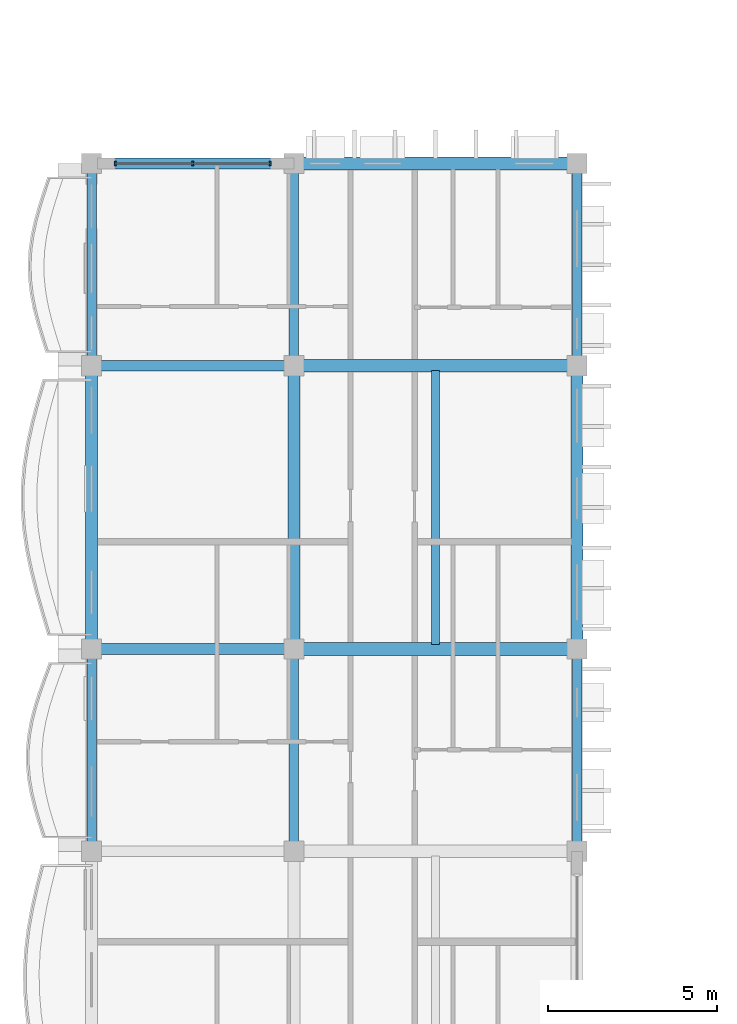
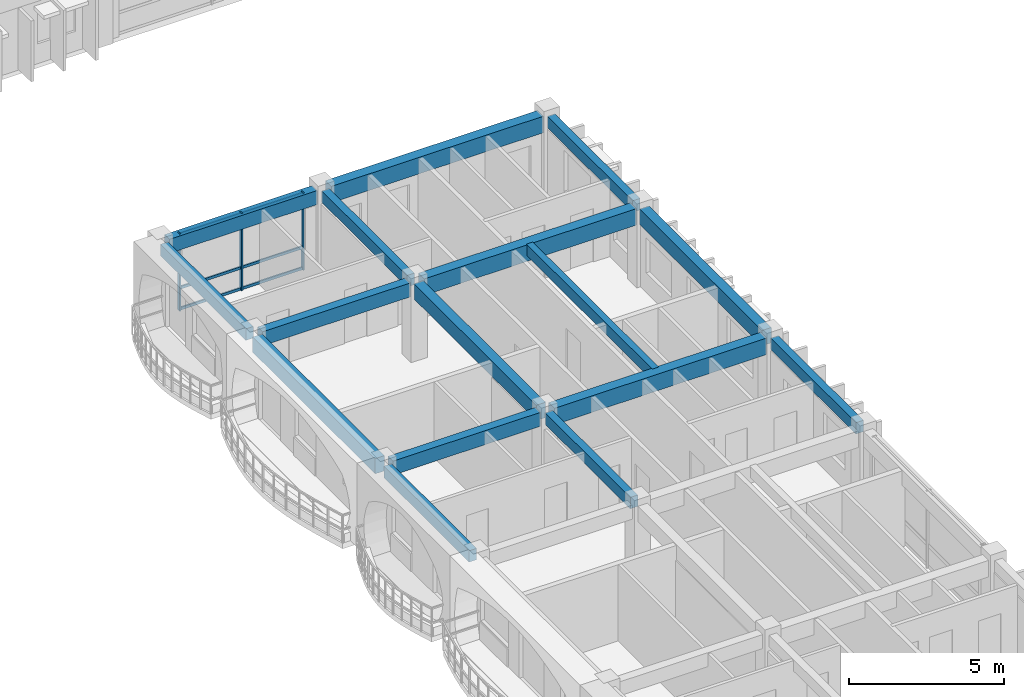
# One storey, part 7 of 79: 16 beams, 6 members, 1 element without a shape of its own.
"""IFC4 building model written with IfcOpenShell, lengths in metres."""

from ifc_helpers import new_model, si_unit, direction, frame, origin, origin_2d, place, context, subcontext, project, spatial, rectangle, extrude, material, material_profile, profile_set, type_object, element, aggregate, save


model = new_model("IFC4")

# Units and contexts
model_context = context("Model", 3, precision=1e-05, world=origin(), true_north=direction((0.0, 1.0)))
body_context = subcontext(model_context, "Body", "Model", "MODEL_VIEW")
ifc_project = project(units=[si_unit("LENGTHUNIT", "METRE"), si_unit("AREAUNIT", "SQUARE_METRE"), si_unit("VOLUMEUNIT", "CUBIC_METRE"), si_unit("PLANEANGLEUNIT", "RADIAN"), si_unit("MASSUNIT", "GRAM", prefix="KILO"), si_unit("THERMODYNAMICTEMPERATUREUNIT", "KELVIN")], contexts=[model_context])

# Site, building, storey
site_placement = place(None, origin())
site = spatial("IfcSite", under=ifc_project, at=site_placement, CompositionType="ELEMENT")
building_placement = place(site_placement, origin())
building = spatial("IfcBuilding", under=site, at=building_placement, Name="Thalorik Housing Commons", CompositionType="ELEMENT")
storey_placement = place(building_placement, frame((0.0, 0.0, 11.39990234375)))
storey = spatial("IfcBuildingStorey", under=building, at=storey_placement, Name="L03", CompositionType="ELEMENT", Elevation=11.39990234375)

# Curtain wall, members
ifc_material_1 = material(Name="Anodised aluminium and solar-control low-E glass", Category="aluminium")
curtain_wall_type = type_object("IfcCurtainWallType", Name="ARC-CW-LOUNGE", PredefinedType="USERDEFINED", material=ifc_material_1)
curtain_wall_placement = place(storey_placement, origin())
curtain_wall = element("IfcCurtainWall", 1, at=curtain_wall_placement, inside=storey, type_object=curtain_wall_type, Name="L03 Curtain Wall CW-RES-L03-C-138", ObjectType="CURTAIN WALL", PredefinedType="USERDEFINED")
ifc_material_2 = material(Name="Anodised aluminium 6063-T6", Category="aluminium")
ifc_material_profile_1 = material_profile(ifc_material_2, rectangle(XDim=0.054931640625, YDim=0.139892578125, at=origin_2d()), Name="ALU MUL 55x140", Category="aluminium")
ifc_profile_set_1 = profile_set([ifc_material_profile_1], Name="Anodised aluminium 6063-T6")
member_type_1 = type_object("IfcMemberType", Name="ARC-CW-MUL-55x140", PredefinedType="MULLION", material=ifc_profile_set_1)
member_1_placement = place(storey_placement, frame((13.699951171875, 57.60009765625, 0.0), z_axis=(0.0, 0.0, 1.0), x_axis=(-1.0, 0.0, 0.0)))
member_1 = element("IfcMember", 2, at=member_1_placement, type_object=member_type_1, Name="CW-RES-L03-C-138 Mullion 1", PredefinedType="MULLION", context=body_context, shape_type="SweptSolid", body=[
    extrude(rectangle(XDim=0.054931640625, YDim=0.139892578125, at=origin_2d()), origin(), (0.0, 0.0, 1.0), 3.0400390625),
])
member_2_placement = place(storey_placement, frame((11.39990234375, 57.60009765625, 0.0), z_axis=(0.0, 0.0, 1.0), x_axis=(-1.0, 0.0, 0.0)))
member_2 = element("IfcMember", 3, at=member_2_placement, type_object=member_type_1, Name="CW-RES-L03-C-138 Mullion 2", PredefinedType="MULLION", context=body_context, shape_type="SweptSolid", body=[
    extrude(rectangle(XDim=0.054931640625, YDim=0.139892578125, at=origin_2d()), origin(), (0.0, 0.0, 1.0), 3.0400390625),
])
member_3_placement = place(storey_placement, frame((9.10009765625, 57.60009765625, 0.0), z_axis=(0.0, 0.0, 1.0), x_axis=(-1.0, 0.0, 0.0)))
member_3 = element("IfcMember", 4, at=member_3_placement, type_object=member_type_1, Name="CW-RES-L03-C-138 Mullion 3", PredefinedType="MULLION", context=body_context, shape_type="SweptSolid", body=[
    extrude(rectangle(XDim=0.054931640625, YDim=0.139892578125, at=origin_2d()), origin(), (0.0, 0.0, 1.0), 3.0400390625),
])
ifc_material_profile_2 = material_profile(ifc_material_2, rectangle(XDim=0.054931640625, YDim=0.10498046875, at=origin_2d()), Name="ALU TRN 55x105", Category="aluminium")
ifc_profile_set_2 = profile_set([ifc_material_profile_2], Name="Anodised aluminium 6063-T6")
member_type_2 = type_object("IfcMemberType", Name="ARC-CW-TRN-55x105", PredefinedType="USERDEFINED", material=ifc_profile_set_2)
member_4_placement = place(storey_placement, frame((13.699951171875, 57.60009765625, 0.05517578125), z_axis=(-1.0, 0.0, 0.0), x_axis=(0.0, -1.0, 0.0)))
member_4 = element("IfcMember", 5, at=member_4_placement, type_object=member_type_2, Name="CW-RES-L03-C-138 Transom 1", ObjectType="TRANSOM", PredefinedType="USERDEFINED", context=body_context, shape_type="SweptSolid", body=[
    extrude(rectangle(XDim=0.054931640625, YDim=0.10498046875, at=origin_2d()), origin(), (0.0, 0.0, 1.0), 4.599853515625),
])
member_5_placement = place(storey_placement, frame((13.699951171875, 57.60009765625, 0.880126953125), z_axis=(-1.0, 0.0, 0.0), x_axis=(0.0, -1.0, 0.0)))
member_5 = element("IfcMember", 6, at=member_5_placement, type_object=member_type_2, Name="CW-RES-L03-C-138 Transom 2", ObjectType="TRANSOM", PredefinedType="USERDEFINED", context=body_context, shape_type="SweptSolid", body=[
    extrude(rectangle(XDim=0.054931640625, YDim=0.10498046875, at=origin_2d()), origin(), (0.0, 0.0, 1.0), 4.599853515625),
])
member_6_placement = place(storey_placement, frame((13.699951171875, 57.60009765625, 2.985107421875), z_axis=(-1.0, 0.0, 0.0), x_axis=(0.0, -1.0, 0.0)))
member_6 = element("IfcMember", 7, at=member_6_placement, type_object=member_type_2, Name="CW-RES-L03-C-138 Transom 3", ObjectType="TRANSOM", PredefinedType="USERDEFINED", context=body_context, shape_type="SweptSolid", body=[
    extrude(rectangle(XDim=0.054931640625, YDim=0.10498046875, at=origin_2d()), origin(), (0.0, 0.0, 1.0), 4.599853515625),
])
aggregate(curtain_wall, [member_1, member_2, member_3, member_4, member_5, member_6])

# Beams
ifc_material_3 = material(Name="Precast concrete C40/50", Category="concrete")
ifc_material_profile_3 = material_profile(ifc_material_3, rectangle(XDim=0.280029296875, YDim=0.449951171875, at=origin_2d()), Name="PC 280x450", Category="concrete")
ifc_profile_set_3 = profile_set([ifc_material_profile_3], Name="Precast concrete C40/50")
beam_type_1 = type_object("IfcBeamType", Name="STR-BM-PC280x450", PredefinedType="BEAM", material=ifc_profile_set_3)
for number, where, z_axis, x_axis, name in (
    (8, (8.39990234375, 37.449951171875, 2.815185546875), (0.0, 1.0, 0.0), (-1.0, 0.0, 0.0), "L03 Beam B-450"),
    (9, (8.39990234375, 51.85009765625, 2.815185546875), (0.0, 1.0, 0.0), (-1.0, 0.0, 0.0), "L03 Beam B-450"),
    (10, (14.39990234375, 37.449951171875, 2.815185546875), (0.0, 1.0, 0.0), (-1.0, 0.0, 0.0), "L03 Beam B-450"),
    (11, (14.39990234375, 51.85009765625, 2.815185546875), (0.0, 1.0, 0.0), (-1.0, 0.0, 0.0), "L03 Beam B-450"),
    (12, (22.800048828125, 37.449951171875, 2.815185546875), (0.0, 1.0, 0.0), (-1.0, 0.0, 0.0), "L03 Beam B-450"),
    (13, (22.800048828125, 51.85009765625, 2.815185546875), (0.0, 1.0, 0.0), (-1.0, 0.0, 0.0), "L03 Beam B-450"),
):
    element("IfcBeam", number, at=place(storey_placement, frame(where, z_axis=z_axis, x_axis=x_axis)), inside=storey, type_object=beam_type_1, Name=name, PredefinedType="BEAM", context=body_context, shape_type="SweptSolid", body=[
        extrude(rectangle(XDim=0.280029296875, YDim=0.449951171875, at=origin_2d()), origin(), (0.0, 0.0, 1.0), 5.5),
    ])
ifc_material_profile_4 = material_profile(ifc_material_3, rectangle(XDim=0.320068359375, YDim=0.550048828125, at=origin_2d()), Name="PC 320x550", Category="concrete")
ifc_profile_set_4 = profile_set([ifc_material_profile_4], Name="Precast concrete C40/50")
beam_type_2 = type_object("IfcBeamType", Name="STR-BM-PC320x550", PredefinedType="BEAM", material=ifc_profile_set_4)
for number, where, z_axis, x_axis, name in (
    (14, (8.64990234375, 43.199951171875, 2.76513671875), (1.0, 0.0, 0.0), (0.0, 1.0, 0.0), "L03 Beam B-550"),
    (15, (8.64990234375, 51.60009765625, 2.76513671875), (1.0, 0.0, 0.0), (0.0, 1.0, 0.0), "L03 Beam B-550"),
    (16, (8.64990234375, 57.60009765625, 2.76513671875), (1.0, 0.0, 0.0), (0.0, 1.0, 0.0), "L03 Beam B-550"),
):
    element("IfcBeam", number, at=place(storey_placement, frame(where, z_axis=z_axis, x_axis=x_axis)), inside=storey, type_object=beam_type_2, Name=name, PredefinedType="BEAM", context=body_context, shape_type="SweptSolid", body=[
        extrude(rectangle(XDim=0.320068359375, YDim=0.550048828125, at=origin_2d()), origin(), (0.0, 0.0, 1.0), 5.5),
    ])
ifc_material_profile_5 = material_profile(ifc_material_3, rectangle(XDim=0.35009765625, YDim=0.60009765625, at=origin_2d()), Name="PC 350x600", Category="concrete")
ifc_profile_set_5 = profile_set([ifc_material_profile_5], Name="Precast concrete C40/50")
beam_type_3 = type_object("IfcBeamType", Name="STR-BM-PC350x600", PredefinedType="BEAM", material=ifc_profile_set_5)
for number, where, z_axis, x_axis, name in (
    (17, (8.39990234375, 43.449951171875, 2.739990234375), (0.0, 1.0, 0.0), (-1.0, 0.0, 0.0), "L03 Beam B-600"),
    (18, (14.39990234375, 43.449951171875, 2.739990234375), (0.0, 1.0, 0.0), (-1.0, 0.0, 0.0), "L03 Beam B-600"),
    (19, (22.800048828125, 43.449951171875, 2.739990234375), (0.0, 1.0, 0.0), (-1.0, 0.0, 0.0), "L03 Beam B-600"),
):
    element("IfcBeam", number, at=place(storey_placement, frame(where, z_axis=z_axis, x_axis=x_axis)), inside=storey, type_object=beam_type_3, Name=name, PredefinedType="BEAM", context=body_context, shape_type="SweptSolid", body=[
        extrude(rectangle(XDim=0.35009765625, YDim=0.60009765625, at=origin_2d()), origin(), (0.0, 0.0, 1.0), 7.900146484375),
    ])
ifc_material_profile_6 = material_profile(ifc_material_3, rectangle(XDim=0.3798828125, YDim=0.64990234375, at=origin_2d()), Name="PC 380x650", Category="concrete")
ifc_profile_set_6 = profile_set([ifc_material_profile_6], Name="Precast concrete C40/50")
beam_type_4 = type_object("IfcBeamType", Name="STR-BM-PC380x650", PredefinedType="BEAM", material=ifc_profile_set_6)
for number, where, z_axis, x_axis, name in (
    (20, (14.64990234375, 43.199951171875, 2.715087890625), (1.0, 0.0, 0.0), (0.0, 1.0, 0.0), "L03 Beam B-650"),
    (21, (14.64990234375, 51.60009765625, 2.715087890625), (1.0, 0.0, 0.0), (0.0, 1.0, 0.0), "L03 Beam B-650"),
    (22, (14.64990234375, 57.60009765625, 2.715087890625), (1.0, 0.0, 0.0), (0.0, 1.0, 0.0), "L03 Beam B-650"),
):
    element("IfcBeam", number, at=place(storey_placement, frame(where, z_axis=z_axis, x_axis=x_axis)), inside=storey, type_object=beam_type_4, Name=name, PredefinedType="BEAM", context=body_context, shape_type="SweptSolid", body=[
        extrude(rectangle(XDim=0.3798828125, YDim=0.64990234375, at=origin_2d()), origin(), (0.0, 0.0, 1.0), 7.900146484375),
    ])
ifc_material_profile_7 = material_profile(ifc_material_3, rectangle(XDim=0.239990234375, YDim=0.43994140625, at=origin_2d()), Name="PC JST 240x440", Category="concrete")
ifc_profile_set_7 = profile_set([ifc_material_profile_7], Name="Precast concrete C40/50")
beam_type_5 = type_object("IfcBeamType", Name="STR-JST-PC240x440", PredefinedType="JOIST", material=ifc_profile_set_7)
beam_placement = place(storey_placement, frame((18.60009765625, 43.340087890625, 2.820068359375), z_axis=(0.0, 1.0, 0.0), x_axis=(-1.0, 0.0, 0.0)))
element("IfcBeam", 23, at=beam_placement, inside=storey, type_object=beam_type_5, Name="L03 Beam J-440", PredefinedType="JOIST", context=body_context, shape_type="SweptSolid", body=[
    extrude(rectangle(XDim=0.239990234375, YDim=0.43994140625, at=origin_2d()), origin(), (0.0, 0.0, 1.0), 8.119873046875),
])

save(model, "model.ifc")
